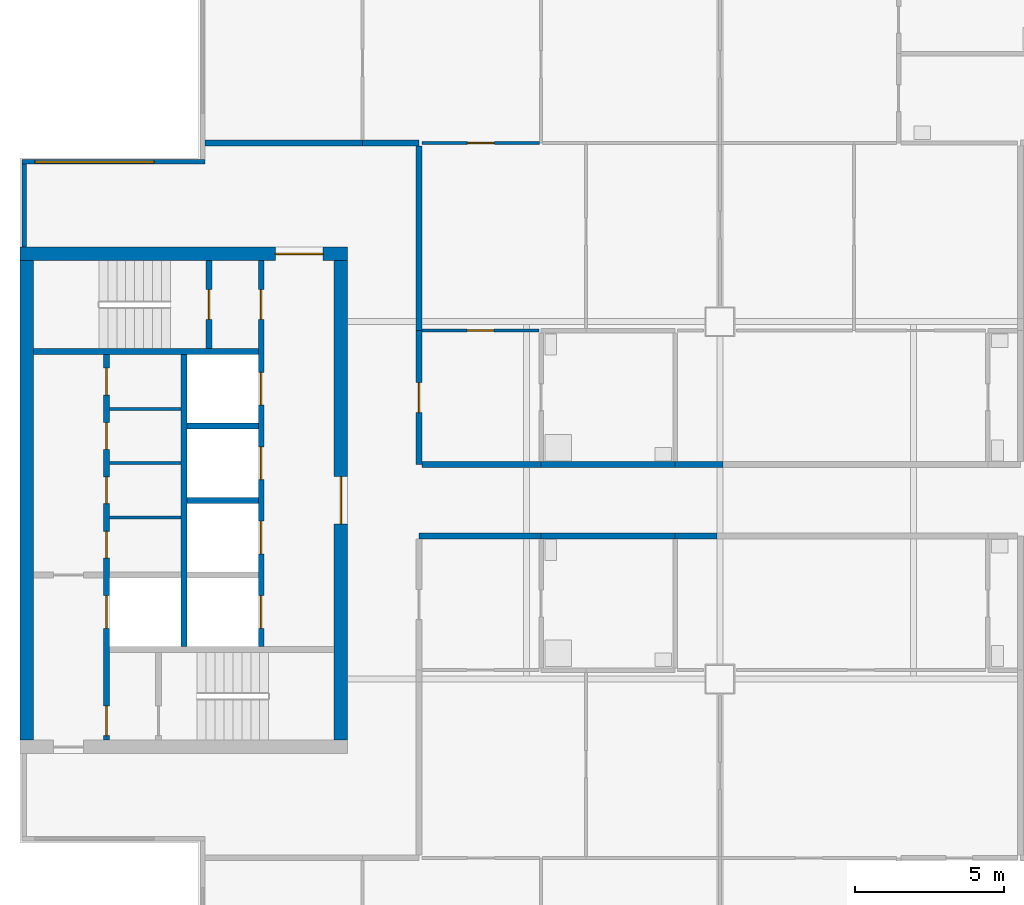
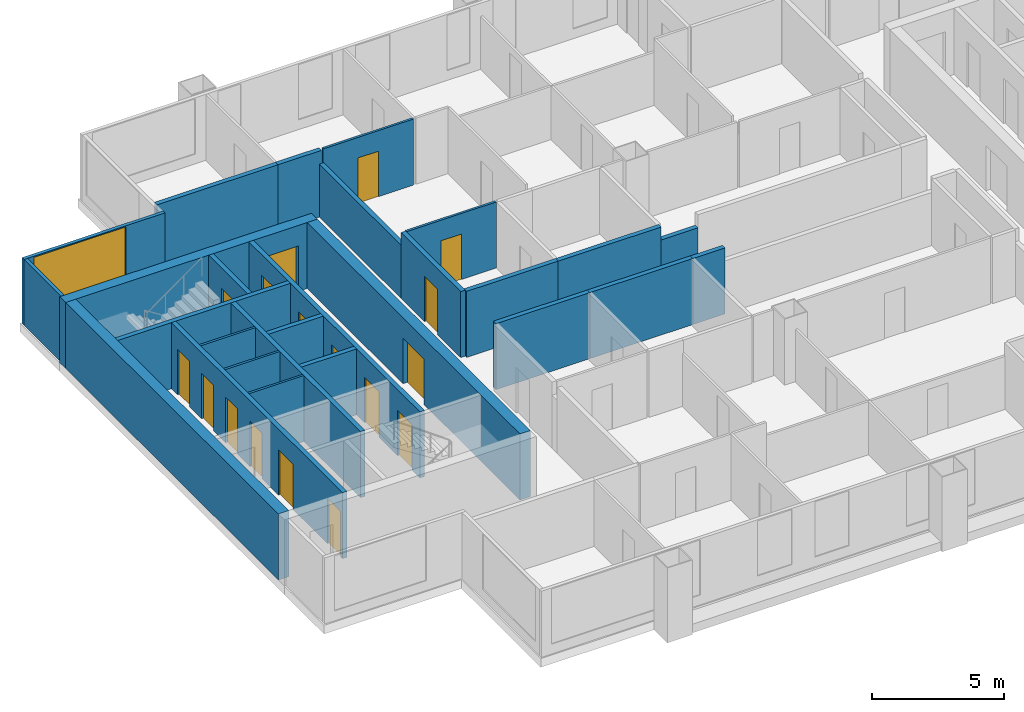
# One storey, part 3 of 8: 27 walls, 17 doors, 1 window, 18 openings.
"""IFC4 building model written with IfcOpenShell, lengths in metres."""

from ifc_helpers import new_model, si_unit, direction, frame, frame_2d, origin, place, context, subcontext, project, spatial, rectangle, extrude, material, layer, layer_set, type_object, element, fill, save


model = new_model("IFC4")

# Units and contexts
model_context = context("Model", 3, precision=1e-05, world=origin(), true_north=direction((0.0, 1.0)))
body_context = subcontext(model_context, "Body", "Model", "MODEL_VIEW")
ifc_project = project(units=[si_unit("LENGTHUNIT", "METRE"), si_unit("AREAUNIT", "SQUARE_METRE"), si_unit("VOLUMEUNIT", "CUBIC_METRE"), si_unit("PLANEANGLEUNIT", "RADIAN"), si_unit("MASSUNIT", "GRAM", prefix="KILO")], contexts=[model_context])

# Site, building, storey
site_placement = place(None, origin())
site = spatial("IfcSite", under=ifc_project, at=site_placement, CompositionType="ELEMENT")
building_placement = place(site_placement, origin())
building = spatial("IfcBuilding", under=site, at=building_placement, Name="Kitamizu Gate Tower and Museum", CompositionType="ELEMENT")
storey_placement = place(building_placement, frame((0.0, 0.0, 231.75)))
storey = spatial("IfcBuildingStorey", under=building, at=storey_placement, Name="L62", CompositionType="ELEMENT", Elevation=231.75)

# Wall, opening, door
ifc_material_1 = material(Name="Concrete Fc42", Category="concrete")
ifc_layer_1 = layer(ifc_material_1, 0.449951171875)
ifc_layer_set_1 = layer_set([ifc_layer_1], Name="Concrete Fc42")
wall_type_1 = type_object("IfcWallType", Name="Core wall 450", PredefinedType="SHEAR", material=ifc_layer_set_1)
wall_1_placement = place(storey_placement, frame((12.5, 38.27490234375, 0.0), z_axis=(0.0, 0.0, 1.0), x_axis=(1.0, 0.0, 0.0)))
wall_1 = element("IfcWall", 1, at=wall_1_placement, inside=storey, type_object=wall_type_1, Name="Core wall WN", PredefinedType="SHEAR", context=body_context, shape_type="SweptSolid", body=[
    extrude(rectangle(XDim=11.0, YDim=0.449951171875, at=frame_2d((5.5, 0.0))), origin(), (0.0, 0.0, 1.0), 3.050048828125),
])
opening_1_placement = place(wall_1_placement, frame((8.574951171875, 0.0, 0.0)))
opening_1 = element("IfcOpeningElement", 2, at=opening_1_placement, cuts=wall_1, Name="Opening L62-036", PredefinedType="OPENING", context=body_context, shape_type="SweptSolid", body=[
    extrude(rectangle(XDim=1.60009765625, YDim=2.10009765625, at=frame_2d((0.800048828125, 1.050048828125))), frame((0.0, 0.23486328125, 0.0), z_axis=(0.0, -1.0, 0.0), x_axis=(1.0, 0.0, 0.0)), (0.0, 0.0, 1.0), 0.469970703125),
])
ifc_material_2 = material(Name="Timber door set", Category="wood")
door_type_1 = type_object("IfcDoorType", Name="Entrance door 1600", OperationType="DOUBLE_DOOR_SINGLE_SWING", PredefinedType="DOOR", material=ifc_material_2)
door_1_placement = place(opening_1_placement, origin())
door_1 = element("IfcDoor", 3, at=door_1_placement, inside=storey, type_object=door_type_1, Name="Lobby door L62-036", OperationType="DOUBLE_DOOR_SINGLE_SWING", OverallHeight=2.10009765625, OverallWidth=1.60009765625, PredefinedType="DOOR", context=body_context, shape_type="SweptSolid", body=[
    extrude(rectangle(XDim=1.60009765625, YDim=2.10009765625, at=frame_2d((0.800048828125, 1.050048828125))), frame((0.0, 0.02490234375, 0.0), z_axis=(0.0, -1.0, 0.0), x_axis=(1.0, 0.0, 0.0)), (0.0, 0.0, 1.0), 0.050048828125),
])
fill(opening_1, door_1)

# Wall
wall_2_placement = place(storey_placement, frame((12.72509765625, 21.949951171875, 0.0), z_axis=(0.0, 0.0, 1.0), x_axis=(0.0, 1.0, 0.0)))
element("IfcWall", 4, at=wall_2_placement, inside=storey, type_object=wall_type_1, Name="Core wall WOUT", PredefinedType="SHEAR", context=body_context, shape_type="SweptSolid", body=[
    extrude(rectangle(XDim=16.10009765625, YDim=0.449951171875, at=frame_2d((8.050048828125, 0.0))), origin(), (0.0, 0.0, 1.0), 3.050048828125),
])

# Wall, opening, door
wall_3_placement = place(storey_placement, frame((23.27490234375, 21.949951171875, 0.0), z_axis=(0.0, 0.0, 1.0), x_axis=(0.0, 1.0, 0.0)))
wall_3 = element("IfcWall", 5, at=wall_3_placement, inside=storey, type_object=wall_type_1, Name="Core wall WARC", PredefinedType="SHEAR", context=body_context, shape_type="SweptSolid", body=[
    extrude(rectangle(XDim=16.10009765625, YDim=0.449951171875, at=frame_2d((8.050048828125, 0.0))), origin(), (0.0, 0.0, 1.0), 3.050048828125),
])
opening_2_placement = place(wall_3_placement, frame((7.25, 0.0, 0.0)))
opening_2 = element("IfcOpeningElement", 6, at=opening_2_placement, cuts=wall_3, Name="Opening L62-037", PredefinedType="OPENING", context=body_context, shape_type="SweptSolid", body=[
    extrude(rectangle(XDim=1.60009765625, YDim=2.10009765625, at=frame_2d((0.800048828125, 1.050048828125))), frame((0.0, 0.23486328125, 0.0), z_axis=(0.0, -1.0, 0.0), x_axis=(1.0, 0.0, 0.0)), (0.0, 0.0, 1.0), 0.469970703125),
])
door_2_placement = place(opening_2_placement, origin())
door_2 = element("IfcDoor", 7, at=door_2_placement, inside=storey, type_object=door_type_1, Name="Lobby door L62-037", OperationType="DOUBLE_DOOR_SINGLE_SWING", OverallHeight=2.10009765625, OverallWidth=1.60009765625, PredefinedType="DOOR", context=body_context, shape_type="SweptSolid", body=[
    extrude(rectangle(XDim=1.60009765625, YDim=2.10009765625, at=frame_2d((0.800048828125, 1.050048828125))), frame((0.0, 0.02490234375, 0.0), z_axis=(0.0, -1.0, 0.0), x_axis=(1.0, 0.0, 0.0)), (0.0, 0.0, 1.0), 0.050048828125),
])
fill(opening_2, door_2)

# Walls
ifc_material_3 = material(Name="Gypsum board on galvanised stud")
ifc_layer_2 = layer(ifc_material_3, 0.10009765625)
ifc_layer_set_2 = layer_set([ifc_layer_2], Name="Gypsum board on galvanised stud")
wall_type_2 = type_object("IfcWallType", Name="Partition 100", PredefinedType="PARTITIONING", material=ifc_layer_set_2)
for number, where, z_axis, x_axis, name in (
    (8, (15.5, 29.425048828125, 0.0), (0.0, 0.0, 1.0), (1.0, 0.0, 0.0), "Partition WPF1"),
    (9, (15.5, 31.25, 0.0), (0.0, 0.0, 1.0), (1.0, 0.0, 0.0), "Partition WPF2"),
    (10, (15.5, 33.074951171875, 0.0), (0.0, 0.0, 1.0), (1.0, 0.0, 0.0), "Partition WPF3"),
):
    element("IfcWall", number, at=place(storey_placement, frame(where, z_axis=z_axis, x_axis=x_axis)), inside=storey, type_object=wall_type_2, Name=name, PredefinedType="PARTITIONING", context=body_context, shape_type="SweptSolid", body=[
        extrude(rectangle(XDim=2.39990234375, YDim=0.10009765625, at=frame_2d((1.199951171875, 0.0))), origin(), (0.0, 0.0, 1.0), 3.050048828125),
    ])

# Wall, opening, door
ifc_material_4 = material(Name="Gypsum board on galvanised stud")
ifc_layer_3 = layer(ifc_material_4, 0.10009765625)
ifc_layer_set_3 = layer_set([ifc_layer_3], Name="Gypsum board on galvanised stud")
wall_type_3 = type_object("IfcWallType", Name="Partition 100 NOT RATED", PredefinedType="PARTITIONING", material=ifc_layer_set_3)
wall_4_placement = place(storey_placement, frame((26.0, 42.0, 0.0), z_axis=(0.0, 0.0, 1.0), x_axis=(1.0, 0.0, 0.0)))
wall_4 = element("IfcWall", 11, at=wall_4_placement, inside=storey, type_object=wall_type_3, Name="Partition L62-041", PredefinedType="PARTITIONING", context=body_context, shape_type="SweptSolid", body=[
    extrude(rectangle(XDim=3.949951171875, YDim=0.10009765625, at=frame_2d((1.97509765625, 0.0))), origin(), (0.0, 0.0, 1.0), 3.050048828125),
])
opening_3_placement = place(wall_4_placement, frame((1.52490234375, 0.0, 0.0)))
opening_3 = element("IfcOpeningElement", 12, at=opening_3_placement, cuts=wall_4, Name="Opening L62-017", PredefinedType="OPENING", context=body_context, shape_type="SweptSolid", body=[
    extrude(rectangle(XDim=0.89990234375, YDim=2.10009765625, at=frame_2d((0.449951171875, 1.050048828125))), frame((0.0, 0.06005859375, 0.0), z_axis=(0.0, -1.0, 0.0), x_axis=(1.0, 0.0, 0.0)), (0.0, 0.0, 1.0), 0.1201171875),
])
ifc_material_5 = material(Name="Timber door set", Category="wood")
door_type_2 = type_object("IfcDoorType", Name="Room door 900", OperationType="NOTDEFINED", PredefinedType="DOOR", material=ifc_material_5)
door_3_placement = place(opening_3_placement, origin())
door_3 = element("IfcDoor", 13, at=door_3_placement, inside=storey, type_object=door_type_2, Name="Door L62-017", OperationType="SINGLE_SWING_RIGHT", OverallHeight=2.10009765625, OverallWidth=0.89990234375, PredefinedType="DOOR", context=body_context, shape_type="SweptSolid", body=[
    extrude(rectangle(XDim=0.89990234375, YDim=2.10009765625, at=frame_2d((0.449951171875, 1.050048828125))), frame((0.0, 0.02490234375, 0.0), z_axis=(0.0, -1.0, 0.0), x_axis=(1.0, 0.0, 0.0)), (0.0, 0.0, 1.0), 0.050048828125),
])
fill(opening_3, door_3)

wall_5_placement = place(storey_placement, frame((26.0, 35.699951171875, 0.0), z_axis=(0.0, 0.0, 1.0), x_axis=(1.0, 0.0, 0.0)))
wall_5 = element("IfcWall", 14, at=wall_5_placement, inside=storey, type_object=wall_type_3, Name="Partition L62-057", PredefinedType="PARTITIONING", context=body_context, shape_type="SweptSolid", body=[
    extrude(rectangle(XDim=3.925048828125, YDim=0.10009765625, at=frame_2d((1.96240234375, 0.0))), origin(), (0.0, 0.0, 1.0), 3.050048828125),
])
opening_4_placement = place(wall_5_placement, frame((1.512451171875, 0.0, 0.0)))
opening_4 = element("IfcOpeningElement", 15, at=opening_4_placement, cuts=wall_5, Name="Opening L62-016", PredefinedType="OPENING", context=body_context, shape_type="SweptSolid", body=[
    extrude(rectangle(XDim=0.89990234375, YDim=2.10009765625, at=frame_2d((0.449951171875, 1.050048828125))), frame((0.0, 0.06005859375, 0.0), z_axis=(0.0, -1.0, 0.0), x_axis=(1.0, 0.0, 0.0)), (0.0, 0.0, 1.0), 0.1201171875),
])
door_4_placement = place(opening_4_placement, origin())
door_4 = element("IfcDoor", 16, at=door_4_placement, inside=storey, type_object=door_type_2, Name="Door L62-016", OperationType="SINGLE_SWING_LEFT", OverallHeight=2.10009765625, OverallWidth=0.89990234375, PredefinedType="DOOR", context=body_context, shape_type="SweptSolid", body=[
    extrude(rectangle(XDim=0.89990234375, YDim=2.10009765625, at=frame_2d((0.449951171875, 1.050048828125))), frame((0.0, 0.02490234375, 0.0), z_axis=(0.0, -1.0, 0.0), x_axis=(1.0, 0.0, 0.0)), (0.0, 0.0, 1.0), 0.050048828125),
])
fill(opening_4, door_4)

# Walls
ifc_material_6 = material(Name="Gypsum board on galvanised stud")
ifc_layer_4 = layer(ifc_material_6, 0.199951171875)
ifc_layer_set_4 = layer_set([ifc_layer_4], Name="Gypsum board on galvanised stud")
wall_type_4 = type_object("IfcWallType", Name="Partition 200", PredefinedType="PARTITIONING", material=ifc_layer_set_4)
wall_6_placement = place(storey_placement, frame((30.0, 28.800048828125, 0.0), z_axis=(0.0, 0.0, 1.0), x_axis=(-1.0, 0.0, 0.0)))
element("IfcWall", 17, at=wall_6_placement, inside=storey, type_object=wall_type_4, Name="Partition L62-029", PredefinedType="PARTITIONING", context=body_context, shape_type="SweptSolid", body=[
    extrude(rectangle(XDim=4.10009765625, YDim=0.199951171875, at=frame_2d((2.050048828125, 0.0))), origin(), (0.0, 0.0, 1.0), 3.050048828125),
])
wall_7_placement = place(storey_placement, frame((34.5, 28.800048828125, 0.0), z_axis=(0.0, 0.0, 1.0), x_axis=(-1.0, 0.0, 0.0)))
element("IfcWall", 18, at=wall_7_placement, inside=storey, type_object=wall_type_4, Name="Partition L62-032", PredefinedType="PARTITIONING", context=body_context, shape_type="SweptSolid", body=[
    extrude(rectangle(XDim=4.5, YDim=0.199951171875, at=frame_2d((2.25, 0.0))), origin(), (0.0, 0.0, 1.0), 3.050048828125),
])
wall_8_placement = place(storey_placement, frame((35.89990234375, 28.800048828125, 0.0), z_axis=(0.0, 0.0, 1.0), x_axis=(-1.0, 0.0, 0.0)))
element("IfcWall", 19, at=wall_8_placement, inside=storey, type_object=wall_type_4, Name="Partition L62-035", PredefinedType="PARTITIONING", context=body_context, shape_type="SweptSolid", body=[
    extrude(rectangle(XDim=1.39990234375, YDim=0.199951171875, at=frame_2d((0.699951171875, 0.0))), origin(), (0.0, 0.0, 1.0), 3.050048828125),
])
wall_9_placement = place(storey_placement, frame((18.719970703125, 42.0, 0.0), z_axis=(0.0, 0.0, 1.0), x_axis=(1.0, 0.0, 0.0)))
element("IfcWall", 20, at=wall_9_placement, inside=storey, type_object=wall_type_4, Name="Partition L62-039", PredefinedType="PARTITIONING", context=body_context, shape_type="SweptSolid", body=[
    extrude(rectangle(XDim=5.280029296875, YDim=0.199951171875, at=frame_2d((2.64013671875, 0.0))), origin(), (0.0, 0.0, 1.0), 3.050048828125),
])
wall_10_placement = place(storey_placement, frame((24.0, 42.0, 0.0), z_axis=(0.0, 0.0, 1.0), x_axis=(1.0, 0.0, 0.0)))
element("IfcWall", 21, at=wall_10_placement, inside=storey, type_object=wall_type_4, Name="Partition L62-042", PredefinedType="PARTITIONING", context=body_context, shape_type="SweptSolid", body=[
    extrude(rectangle(XDim=1.89990234375, YDim=0.199951171875, at=frame_2d((0.949951171875, 0.0))), origin(), (0.0, 0.0, 1.0), 3.050048828125),
])
wall_11_placement = place(storey_placement, frame((25.89990234375, 41.89990234375, 0.0), z_axis=(0.0, 0.0, 1.0), x_axis=(0.0, -1.0, 0.0)))
element("IfcWall", 22, at=wall_11_placement, inside=storey, type_object=wall_type_4, Name="Partition L62-059", PredefinedType="PARTITIONING", context=body_context, shape_type="SweptSolid", body=[
    extrude(rectangle(XDim=6.199951171875, YDim=0.199951171875, at=frame_2d((3.10009765625, 0.0))), origin(), (0.0, 0.0, 1.0), 2.449951171875),
])

# Wall, opening, door
wall_12_placement = place(storey_placement, frame((25.89990234375, 35.699951171875, 0.0), z_axis=(0.0, 0.0, 1.0), x_axis=(0.0, -1.0, 0.0)))
wall_12 = element("IfcWall", 23, at=wall_12_placement, inside=storey, type_object=wall_type_4, Name="Partition L62-071", PredefinedType="PARTITIONING", context=body_context, shape_type="SweptSolid", body=[
    extrude(rectangle(XDim=4.5, YDim=0.199951171875, at=frame_2d((2.25, 0.0))), origin(), (0.0, 0.0, 1.0), 3.050048828125),
])
opening_5_placement = place(wall_12_placement, frame((1.75, 0.0, 0.0)))
opening_5 = element("IfcOpeningElement", 24, at=opening_5_placement, cuts=wall_12, Name="Opening L62-014", PredefinedType="OPENING", context=body_context, shape_type="SweptSolid", body=[
    extrude(rectangle(XDim=1.0, YDim=2.10009765625, at=frame_2d((0.5, 1.050048828125))), frame((0.0, 0.10986328125, 0.0), z_axis=(0.0, -1.0, 0.0), x_axis=(1.0, 0.0, 0.0)), (0.0, 0.0, 1.0), 0.219970703125),
])
ifc_material_7 = material(Name="Timber door set", Category="wood")
door_type_3 = type_object("IfcDoorType", Name="Flat entrance door 1000", OperationType="NOTDEFINED", PredefinedType="DOOR", material=ifc_material_7)
door_5_placement = place(opening_5_placement, origin())
door_5 = element("IfcDoor", 25, at=door_5_placement, inside=storey, type_object=door_type_3, Name="Flat entrance door L62-014", OperationType="SINGLE_SWING_LEFT", OverallHeight=2.10009765625, OverallWidth=1.0, PredefinedType="DOOR", context=body_context, shape_type="SweptSolid", body=[
    extrude(rectangle(XDim=1.0, YDim=2.10009765625, at=frame_2d((0.5, 1.050048828125))), frame((0.0, 0.02490234375, 0.0), z_axis=(0.0, -1.0, 0.0), x_axis=(1.0, 0.0, 0.0)), (0.0, 0.0, 1.0), 0.050048828125),
])
fill(opening_5, door_5)

# Walls
wall_13_placement = place(storey_placement, frame((26.0, 31.199951171875, 0.0), z_axis=(0.0, 0.0, 1.0), x_axis=(1.0, 0.0, 0.0)))
element("IfcWall", 26, at=wall_13_placement, inside=storey, type_object=wall_type_4, Name="Partition L62-072", PredefinedType="PARTITIONING", context=body_context, shape_type="SweptSolid", body=[
    extrude(rectangle(XDim=4.0, YDim=0.199951171875, at=frame_2d((2.0, 0.0))), origin(), (0.0, 0.0, 1.0), 3.050048828125),
])
wall_14_placement = place(storey_placement, frame((30.0, 31.199951171875, 0.0), z_axis=(0.0, 0.0, 1.0), x_axis=(1.0, 0.0, 0.0)))
element("IfcWall", 27, at=wall_14_placement, inside=storey, type_object=wall_type_4, Name="Partition L62-074", PredefinedType="PARTITIONING", context=body_context, shape_type="SweptSolid", body=[
    extrude(rectangle(XDim=4.5, YDim=0.199951171875, at=frame_2d((2.25, 0.0))), origin(), (0.0, 0.0, 1.0), 3.050048828125),
])
wall_15_placement = place(storey_placement, frame((34.5, 31.199951171875, 0.0), z_axis=(0.0, 0.0, 1.0), x_axis=(1.0, 0.0, 0.0)))
element("IfcWall", 28, at=wall_15_placement, inside=storey, type_object=wall_type_4, Name="Partition L62-076", PredefinedType="PARTITIONING", context=body_context, shape_type="SweptSolid", body=[
    extrude(rectangle(XDim=1.60009765625, YDim=0.199951171875, at=frame_2d((0.800048828125, 0.0))), origin(), (0.0, 0.0, 1.0), 2.449951171875),
])

# Wall, openings, doors
ifc_material_8 = material(Name="Concrete Fc42", Category="concrete")
ifc_layer_5 = layer(ifc_material_8, 0.199951171875)
ifc_layer_set_5 = layer_set([ifc_layer_5], Name="Concrete Fc42")
wall_type_5 = type_object("IfcWallType", Name="Shaft wall 200", PredefinedType="SOLIDWALL", material=ifc_layer_set_5)
wall_16_placement = place(storey_placement, frame((15.39990234375, 21.949951171875, 0.0), z_axis=(0.0, 0.0, 1.0), x_axis=(0.0, 1.0, 0.0)))
wall_16 = element("IfcWall", 29, at=wall_16_placement, inside=storey, type_object=wall_type_5, Name="Shaft wall WWEST", PredefinedType="SOLIDWALL", context=body_context, shape_type="SweptSolid", body=[
    extrude(rectangle(XDim=12.949951171875, YDim=0.199951171875, at=frame_2d((6.47509765625, 0.0))), origin(), (0.0, 0.0, 1.0), 3.050048828125),
])
opening_6_placement = place(wall_16_placement, frame((3.75, 0.0, 0.0)))
opening_6 = element("IfcOpeningElement", 30, at=opening_6_placement, cuts=wall_16, Name="Opening LD", PredefinedType="OPENING", context=body_context, shape_type="SweptSolid", body=[
    extrude(rectangle(XDim=1.10009765625, YDim=2.10009765625, at=frame_2d((0.550048828125, 1.050048828125))), frame((0.0, 0.10986328125, 0.0), z_axis=(0.0, -1.0, 0.0), x_axis=(1.0, 0.0, 0.0)), (0.0, 0.0, 1.0), 0.219970703125),
])
opening_7_placement = place(wall_16_placement, frame((0.14990234375, 0.0, 0.0)))
opening_7 = element("IfcOpeningElement", 31, at=opening_7_placement, cuts=wall_16, Name="Opening L62-031", PredefinedType="OPENING", context=body_context, shape_type="SweptSolid", body=[
    extrude(rectangle(XDim=1.0, YDim=2.10009765625, at=frame_2d((0.5, 1.050048828125))), frame((0.0, 0.10986328125, 0.0), z_axis=(0.0, -1.0, 0.0), x_axis=(1.0, 0.0, 0.0)), (0.0, 0.0, 1.0), 0.219970703125),
])
opening_8_placement = place(wall_16_placement, frame((6.112548828125, 0.0, 0.0)))
opening_8 = element("IfcOpeningElement", 32, at=opening_8_placement, cuts=wall_16, Name="Opening L62-038", PredefinedType="OPENING", context=body_context, shape_type="SweptSolid", body=[
    extrude(rectangle(XDim=0.89990234375, YDim=2.10009765625, at=frame_2d((0.449951171875, 1.050048828125))), frame((0.0, 0.10986328125, 0.0), z_axis=(0.0, -1.0, 0.0), x_axis=(1.0, 0.0, 0.0)), (0.0, 0.0, 1.0), 0.219970703125),
])
opening_9_placement = place(wall_16_placement, frame((7.9375, 0.0, 0.0)))
opening_9 = element("IfcOpeningElement", 33, at=opening_9_placement, cuts=wall_16, Name="Opening L62-039", PredefinedType="OPENING", context=body_context, shape_type="SweptSolid", body=[
    extrude(rectangle(XDim=0.89990234375, YDim=2.10009765625, at=frame_2d((0.449951171875, 1.050048828125))), frame((0.0, 0.10986328125, 0.0), z_axis=(0.0, -1.0, 0.0), x_axis=(1.0, 0.0, 0.0)), (0.0, 0.0, 1.0), 0.219970703125),
])
opening_10_placement = place(wall_16_placement, frame((9.762451171875, 0.0, 0.0)))
opening_10 = element("IfcOpeningElement", 34, at=opening_10_placement, cuts=wall_16, Name="Opening L62-040", PredefinedType="OPENING", context=body_context, shape_type="SweptSolid", body=[
    extrude(rectangle(XDim=0.89990234375, YDim=2.10009765625, at=frame_2d((0.449951171875, 1.050048828125))), frame((0.0, 0.10986328125, 0.0), z_axis=(0.0, -1.0, 0.0), x_axis=(1.0, 0.0, 0.0)), (0.0, 0.0, 1.0), 0.219970703125),
])
opening_11_placement = place(wall_16_placement, frame((11.58740234375, 0.0, 0.0)))
opening_11 = element("IfcOpeningElement", 35, at=opening_11_placement, cuts=wall_16, Name="Opening L62-041", PredefinedType="OPENING", context=body_context, shape_type="SweptSolid", body=[
    extrude(rectangle(XDim=0.89990234375, YDim=2.10009765625, at=frame_2d((0.449951171875, 1.050048828125))), frame((0.0, 0.10986328125, 0.0), z_axis=(0.0, -1.0, 0.0), x_axis=(1.0, 0.0, 0.0)), (0.0, 0.0, 1.0), 0.219970703125),
])
ifc_material_9 = material(Name="Hollow metal door set")
door_type_4 = type_object("IfcDoorType", Name="Fire door 1000", OperationType="NOTDEFINED", PredefinedType="DOOR", material=ifc_material_9)
door_6_placement = place(opening_7_placement, frame((1.0, 0.0, 0.0), x_axis=(-1.0, 0.0, 0.0)))
door_6 = element("IfcDoor", 36, at=door_6_placement, inside=storey, type_object=door_type_4, Name="Stair lobby door L62-031", OperationType="SINGLE_SWING_LEFT", OverallHeight=2.10009765625, OverallWidth=1.0, PredefinedType="DOOR", context=body_context, shape_type="SweptSolid", body=[
    extrude(rectangle(XDim=1.0, YDim=2.10009765625, at=frame_2d((0.5, 1.050048828125))), frame((0.0, 0.02490234375, 0.0), z_axis=(0.0, -1.0, 0.0), x_axis=(1.0, 0.0, 0.0)), (0.0, 0.0, 1.0), 0.050048828125),
])
fill(opening_7, door_6)
ifc_material_10 = material(Name="Hollow metal door set")
door_type_5 = type_object("IfcDoorType", Name="Landing door 1100", OperationType="SLIDING_TO_LEFT", PredefinedType="DOOR", material=ifc_material_10)
door_7_placement = place(opening_6_placement, origin())
door_7 = element("IfcDoor", 37, at=door_7_placement, inside=storey, type_object=door_type_5, Name="Landing door WFF1", OperationType="SLIDING_TO_LEFT", OverallHeight=2.10009765625, OverallWidth=1.10009765625, PredefinedType="DOOR", context=body_context, shape_type="SweptSolid", body=[
    extrude(rectangle(XDim=1.10009765625, YDim=2.10009765625, at=frame_2d((0.550048828125, 1.050048828125))), frame((0.0, 0.02490234375, 0.0), z_axis=(0.0, -1.0, 0.0), x_axis=(1.0, 0.0, 0.0)), (0.0, 0.0, 1.0), 0.050048828125),
])
fill(opening_6, door_7)
ifc_material_11 = material(Name="Timber door set", Category="wood")
door_type_6 = type_object("IfcDoorType", Name="Service door 900", OperationType="NOTDEFINED", PredefinedType="DOOR", material=ifc_material_11)
door_8_placement = place(opening_8_placement, frame((0.89990234375, 0.0, 0.0), x_axis=(-1.0, 0.0, 0.0)))
door_8 = element("IfcDoor", 38, at=door_8_placement, inside=storey, type_object=door_type_6, Name="Service door L62-038", OperationType="SINGLE_SWING_RIGHT", OverallHeight=2.10009765625, OverallWidth=0.89990234375, PredefinedType="DOOR", context=body_context, shape_type="SweptSolid", body=[
    extrude(rectangle(XDim=0.89990234375, YDim=2.10009765625, at=frame_2d((0.449951171875, 1.050048828125))), frame((0.0, 0.02490234375, 0.0), z_axis=(0.0, -1.0, 0.0), x_axis=(1.0, 0.0, 0.0)), (0.0, 0.0, 1.0), 0.050048828125),
])
fill(opening_8, door_8)
door_9_placement = place(opening_9_placement, frame((0.89990234375, 0.0, 0.0), x_axis=(-1.0, 0.0, 0.0)))
door_9 = element("IfcDoor", 39, at=door_9_placement, inside=storey, type_object=door_type_6, Name="Service door L62-039", OperationType="SINGLE_SWING_LEFT", OverallHeight=2.10009765625, OverallWidth=0.89990234375, PredefinedType="DOOR", context=body_context, shape_type="SweptSolid", body=[
    extrude(rectangle(XDim=0.89990234375, YDim=2.10009765625, at=frame_2d((0.449951171875, 1.050048828125))), frame((0.0, 0.02490234375, 0.0), z_axis=(0.0, -1.0, 0.0), x_axis=(1.0, 0.0, 0.0)), (0.0, 0.0, 1.0), 0.050048828125),
])
fill(opening_9, door_9)
door_10_placement = place(opening_10_placement, frame((0.89990234375, 0.0, 0.0), x_axis=(-1.0, 0.0, 0.0)))
door_10 = element("IfcDoor", 40, at=door_10_placement, inside=storey, type_object=door_type_6, Name="Service door L62-040", OperationType="SINGLE_SWING_RIGHT", OverallHeight=2.10009765625, OverallWidth=0.89990234375, PredefinedType="DOOR", context=body_context, shape_type="SweptSolid", body=[
    extrude(rectangle(XDim=0.89990234375, YDim=2.10009765625, at=frame_2d((0.449951171875, 1.050048828125))), frame((0.0, 0.02490234375, 0.0), z_axis=(0.0, -1.0, 0.0), x_axis=(1.0, 0.0, 0.0)), (0.0, 0.0, 1.0), 0.050048828125),
])
fill(opening_10, door_10)
door_11_placement = place(opening_11_placement, frame((0.89990234375, 0.0, 0.0), x_axis=(-1.0, 0.0, 0.0)))
door_11 = element("IfcDoor", 41, at=door_11_placement, inside=storey, type_object=door_type_6, Name="Service door L62-041", OperationType="SINGLE_SWING_LEFT", OverallHeight=2.10009765625, OverallWidth=0.89990234375, PredefinedType="DOOR", context=body_context, shape_type="SweptSolid", body=[
    extrude(rectangle(XDim=0.89990234375, YDim=2.10009765625, at=frame_2d((0.449951171875, 1.050048828125))), frame((0.0, 0.02490234375, 0.0), z_axis=(0.0, -1.0, 0.0), x_axis=(1.0, 0.0, 0.0)), (0.0, 0.0, 1.0), 0.050048828125),
])
fill(opening_11, door_11)

wall_17_placement = place(storey_placement, frame((20.60009765625, 25.10009765625, 0.0), z_axis=(0.0, 0.0, 1.0), x_axis=(0.0, 1.0, 0.0)))
wall_17 = element("IfcWall", 42, at=wall_17_placement, inside=storey, type_object=wall_type_5, Name="Shaft wall WEAST", PredefinedType="SOLIDWALL", context=body_context, shape_type="SweptSolid", body=[
    extrude(rectangle(XDim=12.949951171875, YDim=0.199951171875, at=frame_2d((6.47509765625, 0.0))), origin(), (0.0, 0.0, 1.0), 3.050048828125),
])
opening_12_placement = place(wall_17_placement, frame((0.60009765625, 0.0, 0.0)))
opening_12 = element("IfcOpeningElement", 43, at=opening_12_placement, cuts=wall_17, Name="Opening LD", PredefinedType="OPENING", context=body_context, shape_type="SweptSolid", body=[
    extrude(rectangle(XDim=1.10009765625, YDim=2.10009765625, at=frame_2d((0.550048828125, 1.050048828125))), frame((0.0, 0.10986328125, 0.0), z_axis=(0.0, -1.0, 0.0), x_axis=(1.0, 0.0, 0.0)), (0.0, 0.0, 1.0), 0.219970703125),
])
opening_13_placement = place(wall_17_placement, frame((3.10009765625, 0.0, 0.0)))
opening_13 = element("IfcOpeningElement", 44, at=opening_13_placement, cuts=wall_17, Name="Opening LD", PredefinedType="OPENING", context=body_context, shape_type="SweptSolid", body=[
    extrude(rectangle(XDim=1.10009765625, YDim=2.10009765625, at=frame_2d((0.550048828125, 1.050048828125))), frame((0.0, 0.10986328125, 0.0), z_axis=(0.0, -1.0, 0.0), x_axis=(1.0, 0.0, 0.0)), (0.0, 0.0, 1.0), 0.219970703125),
])
opening_14_placement = place(wall_17_placement, frame((5.60009765625, 0.0, 0.0)))
opening_14 = element("IfcOpeningElement", 45, at=opening_14_placement, cuts=wall_17, Name="Opening LD", PredefinedType="OPENING", context=body_context, shape_type="SweptSolid", body=[
    extrude(rectangle(XDim=1.10009765625, YDim=2.10009765625, at=frame_2d((0.550048828125, 1.050048828125))), frame((0.0, 0.10986328125, 0.0), z_axis=(0.0, -1.0, 0.0), x_axis=(1.0, 0.0, 0.0)), (0.0, 0.0, 1.0), 0.219970703125),
])
opening_15_placement = place(wall_17_placement, frame((8.10009765625, 0.0, 0.0)))
opening_15 = element("IfcOpeningElement", 46, at=opening_15_placement, cuts=wall_17, Name="Opening LD", PredefinedType="OPENING", context=body_context, shape_type="SweptSolid", body=[
    extrude(rectangle(XDim=1.10009765625, YDim=2.10009765625, at=frame_2d((0.550048828125, 1.050048828125))), frame((0.0, 0.10986328125, 0.0), z_axis=(0.0, -1.0, 0.0), x_axis=(1.0, 0.0, 0.0)), (0.0, 0.0, 1.0), 0.219970703125),
])
opening_16_placement = place(wall_17_placement, frame((10.97509765625, 0.0, 0.0)))
opening_16 = element("IfcOpeningElement", 47, at=opening_16_placement, cuts=wall_17, Name="Opening L62-032", PredefinedType="OPENING", context=body_context, shape_type="SweptSolid", body=[
    extrude(rectangle(XDim=1.0, YDim=2.10009765625, at=frame_2d((0.5, 1.050048828125))), frame((0.0, 0.10986328125, 0.0), z_axis=(0.0, -1.0, 0.0), x_axis=(1.0, 0.0, 0.0)), (0.0, 0.0, 1.0), 0.219970703125),
])
door_12_placement = place(opening_16_placement, origin())
door_12 = element("IfcDoor", 48, at=door_12_placement, inside=storey, type_object=door_type_4, Name="Stair lobby door L62-032", OperationType="SINGLE_SWING_LEFT", OverallHeight=2.10009765625, OverallWidth=1.0, PredefinedType="DOOR", context=body_context, shape_type="SweptSolid", body=[
    extrude(rectangle(XDim=1.0, YDim=2.10009765625, at=frame_2d((0.5, 1.050048828125))), frame((0.0, 0.02490234375, 0.0), z_axis=(0.0, -1.0, 0.0), x_axis=(1.0, 0.0, 0.0)), (0.0, 0.0, 1.0), 0.050048828125),
])
fill(opening_16, door_12)
door_13_placement = place(opening_12_placement, origin())
door_13 = element("IfcDoor", 49, at=door_13_placement, inside=storey, type_object=door_type_5, Name="Landing door WSV1", OperationType="SLIDING_TO_LEFT", OverallHeight=2.10009765625, OverallWidth=1.10009765625, PredefinedType="DOOR", context=body_context, shape_type="SweptSolid", body=[
    extrude(rectangle(XDim=1.10009765625, YDim=2.10009765625, at=frame_2d((0.550048828125, 1.050048828125))), frame((0.0, 0.02490234375, 0.0), z_axis=(0.0, -1.0, 0.0), x_axis=(1.0, 0.0, 0.0)), (0.0, 0.0, 1.0), 0.050048828125),
])
fill(opening_12, door_13)
door_14_placement = place(opening_13_placement, origin())
door_14 = element("IfcDoor", 50, at=door_14_placement, inside=storey, type_object=door_type_5, Name="Landing door WH1", OperationType="SLIDING_TO_LEFT", OverallHeight=2.10009765625, OverallWidth=1.10009765625, PredefinedType="DOOR", context=body_context, shape_type="SweptSolid", body=[
    extrude(rectangle(XDim=1.10009765625, YDim=2.10009765625, at=frame_2d((0.550048828125, 1.050048828125))), frame((0.0, 0.02490234375, 0.0), z_axis=(0.0, -1.0, 0.0), x_axis=(1.0, 0.0, 0.0)), (0.0, 0.0, 1.0), 0.050048828125),
])
fill(opening_13, door_14)
door_15_placement = place(opening_14_placement, origin())
door_15 = element("IfcDoor", 51, at=door_15_placement, inside=storey, type_object=door_type_5, Name="Landing door WH2", OperationType="SLIDING_TO_LEFT", OverallHeight=2.10009765625, OverallWidth=1.10009765625, PredefinedType="DOOR", context=body_context, shape_type="SweptSolid", body=[
    extrude(rectangle(XDim=1.10009765625, YDim=2.10009765625, at=frame_2d((0.550048828125, 1.050048828125))), frame((0.0, 0.02490234375, 0.0), z_axis=(0.0, -1.0, 0.0), x_axis=(1.0, 0.0, 0.0)), (0.0, 0.0, 1.0), 0.050048828125),
])
fill(opening_14, door_15)
door_16_placement = place(opening_15_placement, origin())
door_16 = element("IfcDoor", 52, at=door_16_placement, inside=storey, type_object=door_type_5, Name="Landing door WH3", OperationType="SLIDING_TO_LEFT", OverallHeight=2.10009765625, OverallWidth=1.10009765625, PredefinedType="DOOR", context=body_context, shape_type="SweptSolid", body=[
    extrude(rectangle(XDim=1.10009765625, YDim=2.10009765625, at=frame_2d((0.550048828125, 1.050048828125))), frame((0.0, 0.02490234375, 0.0), z_axis=(0.0, -1.0, 0.0), x_axis=(1.0, 0.0, 0.0)), (0.0, 0.0, 1.0), 0.050048828125),
])
fill(opening_15, door_16)

# Walls
wall_18_placement = place(storey_placement, frame((18.0, 25.10009765625, 0.0), z_axis=(0.0, 0.0, 1.0), x_axis=(0.0, 1.0, 0.0)))
element("IfcWall", 53, at=wall_18_placement, inside=storey, type_object=wall_type_5, Name="Shaft wall WMID", PredefinedType="SOLIDWALL", context=body_context, shape_type="SweptSolid", body=[
    extrude(rectangle(XDim=9.7998046875, YDim=0.199951171875, at=frame_2d((4.89990234375, 0.0))), origin(), (0.0, 0.0, 1.0), 3.050048828125),
])
wall_19_placement = place(storey_placement, frame((12.949951171875, 35.0, 0.0), z_axis=(0.0, 0.0, 1.0), x_axis=(1.0, 0.0, 0.0)))
element("IfcWall", 54, at=wall_19_placement, inside=storey, type_object=wall_type_5, Name="Shaft wall WNB", PredefinedType="SOLIDWALL", context=body_context, shape_type="SweptSolid", body=[
    extrude(rectangle(XDim=7.550048828125, YDim=0.199951171875, at=frame_2d((3.77490234375, 0.0))), origin(), (0.0, 0.0, 1.0), 3.050048828125),
])

# Wall, opening, door
wall_20_placement = place(storey_placement, frame((18.85009765625, 35.10009765625, 0.0), z_axis=(0.0, 0.0, 1.0), x_axis=(0.0, 1.0, 0.0)))
wall_20 = element("IfcWall", 55, at=wall_20_placement, inside=storey, type_object=wall_type_5, Name="Shaft wall WNZ", PredefinedType="SOLIDWALL", context=body_context, shape_type="SweptSolid", body=[
    extrude(rectangle(XDim=2.949951171875, YDim=0.199951171875, at=frame_2d((1.47509765625, 0.0))), origin(), (0.0, 0.0, 1.0), 3.050048828125),
])
opening_17_placement = place(wall_20_placement, frame((0.97509765625, 0.0, 0.0)))
opening_17 = element("IfcOpeningElement", 56, at=opening_17_placement, cuts=wall_20, Name="Opening L62-033", PredefinedType="OPENING", context=body_context, shape_type="SweptSolid", body=[
    extrude(rectangle(XDim=1.0, YDim=2.10009765625, at=frame_2d((0.5, 1.050048828125))), frame((0.0, 0.10986328125, 0.0), z_axis=(0.0, -1.0, 0.0), x_axis=(1.0, 0.0, 0.0)), (0.0, 0.0, 1.0), 0.219970703125),
])
door_17_placement = place(opening_17_placement, origin())
door_17 = element("IfcDoor", 57, at=door_17_placement, inside=storey, type_object=door_type_4, Name="Stair door L62-033", OperationType="SINGLE_SWING_RIGHT", OverallHeight=2.10009765625, OverallWidth=1.0, PredefinedType="DOOR", context=body_context, shape_type="SweptSolid", body=[
    extrude(rectangle(XDim=1.0, YDim=2.10009765625, at=frame_2d((0.5, 1.050048828125))), frame((0.0, 0.02490234375, 0.0), z_axis=(0.0, -1.0, 0.0), x_axis=(1.0, 0.0, 0.0)), (0.0, 0.0, 1.0), 0.050048828125),
])
fill(opening_17, door_17)

# Walls
for number, where, z_axis, x_axis, name in (
    (58, (18.10009765625, 30.0, 0.0), (0.0, 0.0, 1.0), (1.0, 0.0, 0.0), "Shaft wall WDVE1"),
    (59, (18.10009765625, 32.5, 0.0), (0.0, 0.0, 1.0), (1.0, 0.0, 0.0), "Shaft wall WDVE2"),
):
    element("IfcWall", number, at=place(storey_placement, frame(where, z_axis=z_axis, x_axis=x_axis)), inside=storey, type_object=wall_type_5, Name=name, PredefinedType="SOLIDWALL", context=body_context, shape_type="SweptSolid", body=[
        extrude(rectangle(XDim=2.39990234375, YDim=0.199951171875, at=frame_2d((1.199951171875, 0.0))), origin(), (0.0, 0.0, 1.0), 3.050048828125),
    ])

# Wall, opening, window
ifc_material_12 = material(Name="Bronze anodised aluminium frame with insulated spandrel and tinted glass", Category="aluminium")
ifc_layer_6 = layer(ifc_material_12, 0.14990234375)
ifc_layer_set_6 = layer_set([ifc_layer_6], Name="Bronze anodised aluminium frame with insulated spandrel and tinted glass")
wall_type_6 = type_object("IfcWallType", Name="WINDOW WALL 150 BRONZE FRAME EI 30", PredefinedType="ELEMENTEDWALL", material=ifc_layer_set_6)
wall_21_placement = place(storey_placement, frame((12.56005859375, 41.364990234375, 0.0), z_axis=(0.0, 0.0, 1.0), x_axis=(1.0, 0.0, 0.0)))
wall_21 = element("IfcWall", 60, at=wall_21_placement, inside=storey, type_object=wall_type_6, Name="Window wall north L62", PredefinedType="ELEMENTEDWALL", context=body_context, shape_type="SweptSolid", body=[
    extrude(rectangle(XDim=6.14990234375, YDim=0.14990234375, at=frame_2d((3.074951171875, 0.0))), origin(), (0.0, 0.0, 1.0), 3.050048828125),
])
opening_18_placement = place(wall_21_placement, frame((0.43994140625, 0.0, 0.449951171875)))
opening_18 = element("IfcOpeningElement", 61, at=opening_18_placement, cuts=wall_21, Name="Opening W16", PredefinedType="OPENING", context=body_context, shape_type="SweptSolid", body=[
    extrude(rectangle(XDim=4.0, YDim=2.550048828125, at=frame_2d((2.0, 1.27490234375))), frame((0.0, 0.0849609375, 0.0), z_axis=(0.0, -1.0, 0.0), x_axis=(1.0, 0.0, 0.0)), (0.0, 0.0, 1.0), 0.169921875),
])
ifc_material_13 = material(Name="Bronze anodised aluminium frame, tinted triple glazing", Category="aluminium")
window_type = type_object("IfcWindowType", Name="WINDOW 4000 x 2550 SILL 450", PartitioningType="SINGLE_PANEL", PredefinedType="WINDOW", material=ifc_material_13)
window_placement = place(opening_18_placement, origin())
window = element("IfcWindow", 62, at=window_placement, inside=storey, type_object=window_type, Name="Window W16 L62", OverallHeight=2.550048828125, OverallWidth=4.0, PartitioningType="SINGLE_PANEL", PredefinedType="WINDOW", context=body_context, shape_type="SweptSolid", body=[
    extrude(rectangle(XDim=4.0, YDim=2.550048828125, at=frame_2d((2.0, 1.27490234375))), frame((0.0, 0.030029296875, 0.0), z_axis=(0.0, -1.0, 0.0), x_axis=(1.0, 0.0, 0.0)), (0.0, 0.0, 1.0), 0.06005859375),
])
fill(opening_18, window)

# Wall
wall_22_placement = place(storey_placement, frame((12.635009765625, 38.5, 0.0), z_axis=(0.0, 0.0, 1.0), x_axis=(0.0, 1.0, 0.0)))
element("IfcWall", 63, at=wall_22_placement, inside=storey, type_object=wall_type_6, Name="Window wall west L62", PredefinedType="ELEMENTEDWALL", context=body_context, shape_type="SweptSolid", body=[
    extrude(rectangle(XDim=2.7900390625, YDim=0.14990234375, at=frame_2d((1.39501953125, 0.0))), origin(), (0.0, 0.0, 1.0), 3.050048828125),
])

save(model, "model.ifc")
